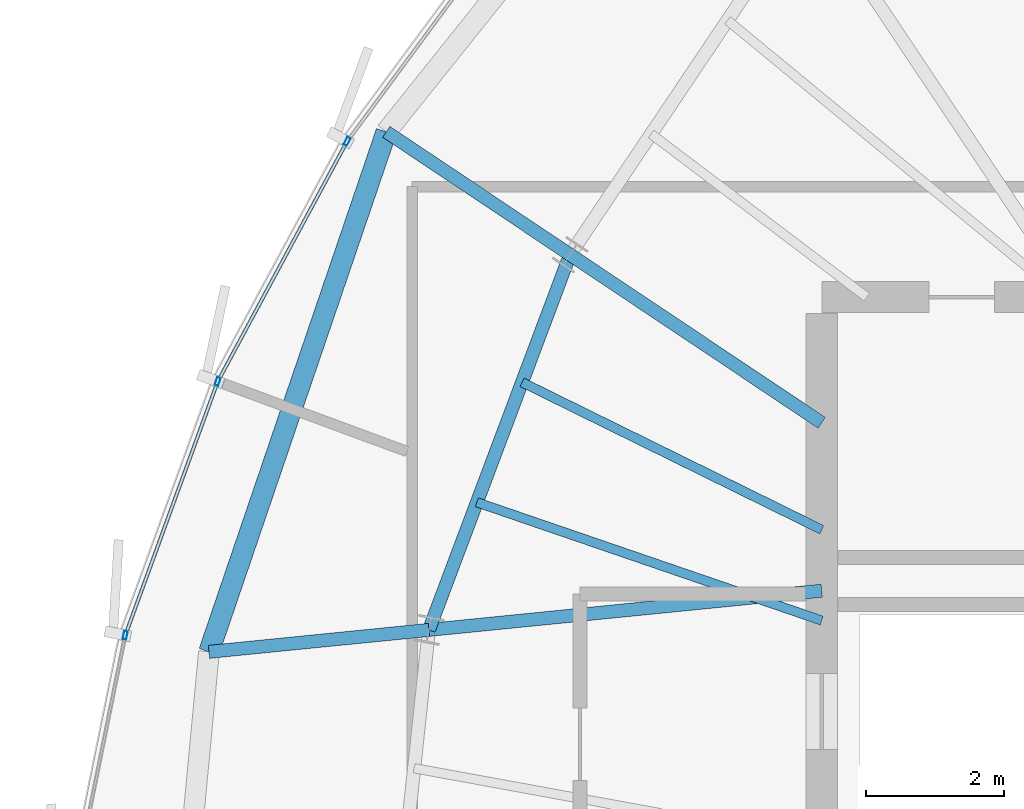
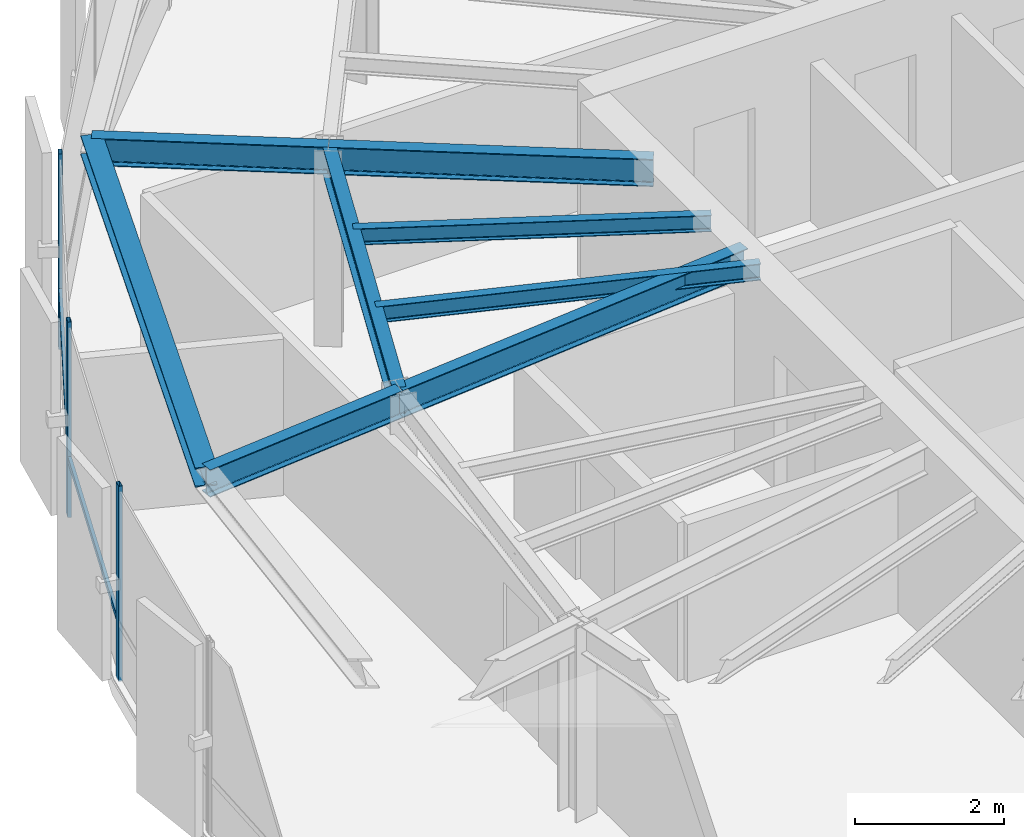
# One storey, part 11 of 33: 8 beams, 5 members, 1 element without a shape of its own.
"""IFC4 building model written with IfcOpenShell, lengths in metres."""

from ifc_helpers import new_model, si_unit, direction, frame, origin, origin_2d, place, context, subcontext, project, spatial, hollow_rectangle, i_section, extrude, source, transform, mapped, material, layer, layer_set, material_profile, profile_set, type_object, element, aggregate, save


model = new_model("IFC4")

# Units and contexts
model_context = context("Model", 3, precision=1e-05, world=origin(), true_north=direction((0.0, 1.0)))
body_context = subcontext(model_context, "Body", "Model", "MODEL_VIEW")
ifc_project = project(units=[si_unit("LENGTHUNIT", "METRE"), si_unit("AREAUNIT", "SQUARE_METRE"), si_unit("VOLUMEUNIT", "CUBIC_METRE"), si_unit("PLANEANGLEUNIT", "RADIAN"), si_unit("MASSUNIT", "GRAM", prefix="KILO"), si_unit("THERMODYNAMICTEMPERATUREUNIT", "KELVIN")], contexts=[model_context])

# Site, building, storey
site_placement = place(None, origin())
site = spatial("IfcSite", under=ifc_project, at=site_placement, CompositionType="ELEMENT")
building_placement = place(site_placement, origin())
building = spatial("IfcBuilding", under=site, at=building_placement, Name="Kethvar Cultural Tower", CompositionType="ELEMENT")
storey_placement = place(building_placement, frame((0.0, 0.0, 266.35009765625)))
storey = spatial("IfcBuildingStorey", under=building, at=storey_placement, Name="L70", CompositionType="ELEMENT", Elevation=266.35009765625)

# Beams
ifc_material_1 = material(Name="Steel S355J2", Category="steel")
ifc_material_profile_1 = material_profile(ifc_material_1, i_section(OverallWidth=0.18994140625, OverallDepth=0.449951171875, WebThickness=0.009521484375, FlangeThickness=0.0146484375, FilletRadius=0.02099609375, at=origin_2d()), Name="Steel S355J2 — IPE450")
ifc_profile_set_1 = profile_set([ifc_material_profile_1], Name="Steel S355J2 — IPE450")
beam_type_1 = type_object("IfcBeamType", Name="BM-IPE450", PredefinedType="BEAM", material=ifc_profile_set_1)
shared_shape_1 = source(origin(), body_context, "Body", "SweptSolid", [
    extrude(i_section(OverallWidth=0.18994140625, OverallDepth=0.449951171875, WebThickness=0.009521484375, FlangeThickness=0.0146484375, FilletRadius=0.02099609375, at=origin_2d()), origin(), (0.0, 0.0, 1.0), 3.2001953125),
])
beam_1_placement = place(storey_placement, frame((32.3125, 30.681884765625, 2.98291015625), z_axis=(-0.995047004836, -0.099405523829, 0.0), x_axis=(0.099405523829, -0.995047004836, 0.0)))
element("IfcBeam", 1, at=beam_1_placement, inside=storey, type_object=beam_type_1, Name="L70 Perimeter Cantilever Beam RC-08", PredefinedType="BEAM", context=body_context, shape_type="MappedRepresentation", body=[
    mapped(shared_shape_1, transform((0.0, 0.0, 0.0), scale=1.0)),
])
shared_shape_2 = source(origin(), body_context, "Body", "SweptSolid", [
    extrude(i_section(OverallWidth=0.18994140625, OverallDepth=0.449951171875, WebThickness=0.009521484375, FlangeThickness=0.0146484375, FilletRadius=0.02099609375, at=origin_2d()), origin(), (0.0, 0.0, 1.0), 4.3828125),
])
beam_2_placement = place(storey_placement, frame((38.0, 33.679931640625, 2.98291015625), z_axis=(-0.831449909861, 0.555599718676, 0.0), x_axis=(-0.555599718676, -0.831449909861, 0.0)))
element("IfcBeam", 2, at=beam_2_placement, inside=storey, type_object=beam_type_1, Name="L70 Primary Radial Beam RB-07", PredefinedType="BEAM", context=body_context, shape_type="MappedRepresentation", body=[
    mapped(shared_shape_2, transform((0.0, 0.0, 0.0), scale=1.0)),
])
shared_shape_3 = source(origin(), body_context, "Body", "SweptSolid", [
    extrude(i_section(OverallWidth=0.18994140625, OverallDepth=0.449951171875, WebThickness=0.009521484375, FlangeThickness=0.0146484375, FilletRadius=0.02099609375, at=origin_2d()), origin(), (0.0, 0.0, 1.0), 3.19970703125),
])
beam_3_placement = place(storey_placement, frame((34.35595703125, 36.114990234375, 2.98291015625), z_axis=(-0.831498187863, 0.55552746429, 0.0), x_axis=(-0.55552746429, -0.831498187863, 0.0)))
element("IfcBeam", 3, at=beam_3_placement, inside=storey, type_object=beam_type_1, Name="L70 Perimeter Cantilever Beam RC-07", PredefinedType="BEAM", context=body_context, shape_type="MappedRepresentation", body=[
    mapped(shared_shape_3, transform((0.0, 0.0, 0.0), scale=1.0)),
])
shared_shape_4 = source(origin(), body_context, "Body", "SweptSolid", [
    extrude(i_section(OverallWidth=0.18994140625, OverallDepth=0.449951171875, WebThickness=0.009521484375, FlangeThickness=0.0146484375, FilletRadius=0.02099609375, at=origin_2d()), origin(), (0.0, 0.0, 1.0), 5.7158203125),
])
beam_4_placement = place(storey_placement, frame((38.0, 31.25, 2.98291015625), z_axis=(-0.995048179628, -0.099393763478, 0.0), x_axis=(0.099393763478, -0.995048179628, 0.0)))
element("IfcBeam", 4, at=beam_4_placement, inside=storey, type_object=beam_type_1, Name="L70 Primary Radial Beam RB-08", PredefinedType="BEAM", context=body_context, shape_type="MappedRepresentation", body=[
    mapped(shared_shape_4, transform((0.0, 0.0, 0.0), scale=1.0)),
])
shared_shape_5 = source(origin(), body_context, "Body", "SweptSolid", [
    extrude(i_section(OverallWidth=0.18994140625, OverallDepth=0.449951171875, WebThickness=0.009521484375, FlangeThickness=0.0146484375, FilletRadius=0.02099609375, at=origin_2d()), origin(), (0.0, 0.0, 1.0), 5.8046875),
])
beam_5_placement = place(storey_placement, frame((34.35595703125, 36.114990234375, 2.98291015625), z_axis=(-0.352035902861, -0.935986497283, 0.0), x_axis=(0.935986497283, -0.352035902861, 0.0)))
element("IfcBeam", 5, at=beam_5_placement, inside=storey, type_object=beam_type_1, Name="L70 Column Ring Tie Beam CR-07", PredefinedType="BEAM", context=body_context, shape_type="MappedRepresentation", body=[
    mapped(shared_shape_5, transform((0.0, 0.0, 0.0), scale=1.0)),
])
ifc_material_profile_2 = material_profile(ifc_material_1, i_section(OverallWidth=0.300048828125, OverallDepth=0.320068359375, WebThickness=0.011474609375, FlangeThickness=0.0205078125, FilletRadius=0.027099609375, at=origin_2d()), Name="Steel S355J2 — HEB320")
ifc_profile_set_2 = profile_set([ifc_material_profile_2], Name="Steel S355J2 — HEB320")
beam_type_2 = type_object("IfcBeamType", Name="BM-SP320", PredefinedType="SPANDREL", material=ifc_profile_set_2)
shared_shape_6 = source(origin(), body_context, "Body", "SweptSolid", [
    extrude(i_section(OverallWidth=0.300048828125, OverallDepth=0.320068359375, WebThickness=0.011474609375, FlangeThickness=0.0205078125, FilletRadius=0.027099609375, at=origin_2d()), origin(), (0.0, 0.0, 1.0), 7.954345703125),
])
beam_6_placement = place(storey_placement, frame((31.6953125, 37.892578125, 3.0478515625), z_axis=(-0.322730170507, -0.946491012659, 0.0), x_axis=(0.946491012659, -0.322730170507, 0.0)))
element("IfcBeam", 6, at=beam_6_placement, inside=storey, type_object=beam_type_2, Name="L70 Perimeter Spandrel Beam SP-07", PredefinedType="SPANDREL", context=body_context, shape_type="MappedRepresentation", body=[
    mapped(shared_shape_6, transform((0.0, 0.0, 0.0), scale=1.0)),
])
ifc_material_profile_3 = material_profile(ifc_material_1, i_section(OverallWidth=0.135009765625, OverallDepth=0.27001953125, WebThickness=0.006591796875, FlangeThickness=0.01025390625, FilletRadius=0.014892578125, at=origin_2d()), Name="Steel S355J2 — IPE270")
ifc_profile_set_3 = profile_set([ifc_material_profile_3], Name="Steel S355J2 — IPE270")
beam_type_3 = type_object("IfcBeamType", Name="BM-J270", PredefinedType="JOIST", material=ifc_profile_set_3)
shared_shape_7 = source(origin(), body_context, "Body", "SweptSolid", [
    extrude(i_section(OverallWidth=0.135009765625, OverallDepth=0.27001953125, WebThickness=0.006591796875, FlangeThickness=0.01025390625, FilletRadius=0.014892578125, at=origin_2d()), origin(), (0.0, 0.0, 1.0), 4.8359375),
])
beam_7_placement = place(storey_placement, frame((38.0, 32.1318359375, 3.072998046875), z_axis=(-0.897196527088, 0.441631511308, 0.0), x_axis=(-0.441631511308, -0.897196527088, 0.0)))
element("IfcBeam", 7, at=beam_7_placement, inside=storey, type_object=beam_type_3, Name="L70 Composite Floor Joist J-07A", PredefinedType="JOIST", context=body_context, shape_type="MappedRepresentation", body=[
    mapped(shared_shape_7, transform((0.0, 0.0, 0.0), scale=1.0)),
])
shared_shape_8 = source(origin(), body_context, "Body", "SweptSolid", [
    extrude(i_section(OverallWidth=0.135009765625, OverallDepth=0.27001953125, WebThickness=0.006591796875, FlangeThickness=0.01025390625, FilletRadius=0.014892578125, at=origin_2d()), origin(), (0.0, 0.0, 1.0), 5.2783203125),
])
beam_8_placement = place(storey_placement, frame((38.0, 30.817138671875, 3.072998046875), z_axis=(-0.945942702368, 0.324333784607, 0.0), x_axis=(-0.324333784607, -0.945942702368, 0.0)))
element("IfcBeam", 8, at=beam_8_placement, inside=storey, type_object=beam_type_3, Name="L70 Composite Floor Joist J-07B", PredefinedType="JOIST", context=body_context, shape_type="MappedRepresentation", body=[
    mapped(shared_shape_8, transform((0.0, 0.0, 0.0), scale=1.0)),
])

# Curtain wall, members
ifc_material_2 = material(Name="Aluminium 6063-T6", Category="aluminium")
ifc_layer = layer(ifc_material_2, 0.179931640625, Name="Aluminium 6063-T6", Category="aluminium")
ifc_layer_set = layer_set([ifc_layer], Name="Aluminium 6063-T6 (180 mm)")
curtain_wall_type = type_object("IfcCurtainWallType", Name="CW-SYS-05-Z56", PredefinedType="NOTDEFINED", material=ifc_layer_set)
curtain_wall_placement = place(storey_placement, origin())
curtain_wall = element("IfcCurtainWall", 9, at=curtain_wall_placement, inside=storey, type_object=curtain_wall_type, Name="L70 Curtain Wall Run 02", PredefinedType="NOTDEFINED")
ifc_material_profile_4 = material_profile(ifc_material_2, hollow_rectangle(XDim=0.054931640625, YDim=0.1201171875, WallThickness=0.00390625, at=origin_2d()), Name="Aluminium 6063-T6 — RHS120x55x4")
ifc_profile_set_4 = profile_set([ifc_material_profile_4], Name="Aluminium 6063-T6 — RHS120x55x4")
member_type_1 = type_object("IfcMemberType", Name="CW-SYS-05-Z56-MUL", PredefinedType="MULLION", material=ifc_profile_set_4)
shared_shape_9 = source(origin(), body_context, "Body", "SweptSolid", [
    extrude(hollow_rectangle(XDim=0.054931640625, YDim=0.1201171875, WallThickness=0.00390625, at=origin_2d()), origin(), (0.0, 0.0, 1.0), 3.2099609375),
])
member_1_placement = place(storey_placement, frame((31.128173828125, 37.754150390625, 0.0), z_axis=(0.0, 0.0, 1.0), x_axis=(0.880502175503, -0.474042106711, 0.0)))
member_1 = element("IfcMember", 10, at=member_1_placement, type_object=member_type_1, Name="CW-L70-R02 Mullion 4", PredefinedType="MULLION", context=body_context, shape_type="MappedRepresentation", body=[
    mapped(shared_shape_9, transform((0.0, 0.0, 0.0), scale=1.0)),
])
member_2_placement = place(storey_placement, frame((29.2548828125, 34.277099609375, 0.0), z_axis=(0.0, 0.0, 1.0), x_axis=(0.939620967645, -0.342216944585, 0.0)))
member_2 = element("IfcMember", 11, at=member_2_placement, type_object=member_type_1, Name="CW-L70-R02 Mullion 5", PredefinedType="MULLION", context=body_context, shape_type="MappedRepresentation", body=[
    mapped(shared_shape_9, transform((0.0, 0.0, 0.0), scale=1.0)),
])
member_3_placement = place(storey_placement, frame((27.915771484375, 30.603271484375, 0.0), z_axis=(0.0, 0.0, 1.0), x_axis=(0.979990763651, -0.199042968123, 0.0)))
member_3 = element("IfcMember", 12, at=member_3_placement, type_object=member_type_1, Name="CW-L70-R02 Mullion 6", PredefinedType="MULLION", context=body_context, shape_type="MappedRepresentation", body=[
    mapped(shared_shape_9, transform((0.0, 0.0, 0.0), scale=1.0)),
])
ifc_material_profile_5 = material_profile(ifc_material_2, hollow_rectangle(XDim=0.050048828125, YDim=0.10009765625, WallThickness=0.00390625, at=origin_2d()), Name="Aluminium 6063-T6 — RHS100x50x4")
ifc_profile_set_5 = profile_set([ifc_material_profile_5], Name="Aluminium 6063-T6 — RHS100x50x4")
member_type_2 = type_object("IfcMemberType", Name="CW-SYS-05-Z56-TRN", PredefinedType="USERDEFINED", material=ifc_profile_set_5)
shared_shape_10 = source(origin(), body_context, "Body", "SweptSolid", [
    extrude(hollow_rectangle(XDim=0.050048828125, YDim=0.10009765625, WallThickness=0.00390625, at=origin_2d()), origin(), (0.0, 0.0, 1.0), 3.884765625),
])
member_4_placement = place(storey_placement, frame((31.109375, 37.71923828125, 0.949951171875), z_axis=(-0.474107318366, -0.880467063933, 0.0), x_axis=(0.880467063933, -0.474107318366, 0.0)))
member_4 = element("IfcMember", 13, at=member_4_placement, type_object=member_type_2, Name="CW-L70-R02 Transom 4", ObjectType="TRANSOM", PredefinedType="USERDEFINED", context=body_context, shape_type="MappedRepresentation", body=[
    mapped(shared_shape_10, transform((0.0, 0.0, 0.0), scale=1.0)),
])
shared_shape_11 = source(origin(), body_context, "Body", "SweptSolid", [
    extrude(hollow_rectangle(XDim=0.050048828125, YDim=0.10009765625, WallThickness=0.00390625, at=origin_2d()), origin(), (0.0, 0.0, 1.0), 3.845947265625),
])
member_5_placement = place(storey_placement, frame((29.2412109375, 34.239990234375, 0.949951171875), z_axis=(-0.342160982525, -0.939641347556, 0.0), x_axis=(0.939641347556, -0.342160982525, 0.0)))
member_5 = element("IfcMember", 14, at=member_5_placement, type_object=member_type_2, Name="CW-L70-R02 Transom 5", ObjectType="TRANSOM", PredefinedType="USERDEFINED", context=body_context, shape_type="MappedRepresentation", body=[
    mapped(shared_shape_11, transform((0.0, 0.0, 0.0), scale=1.0)),
])
aggregate(curtain_wall, [member_1, member_2, member_3, member_4, member_5])

save(model, "model.ifc")
